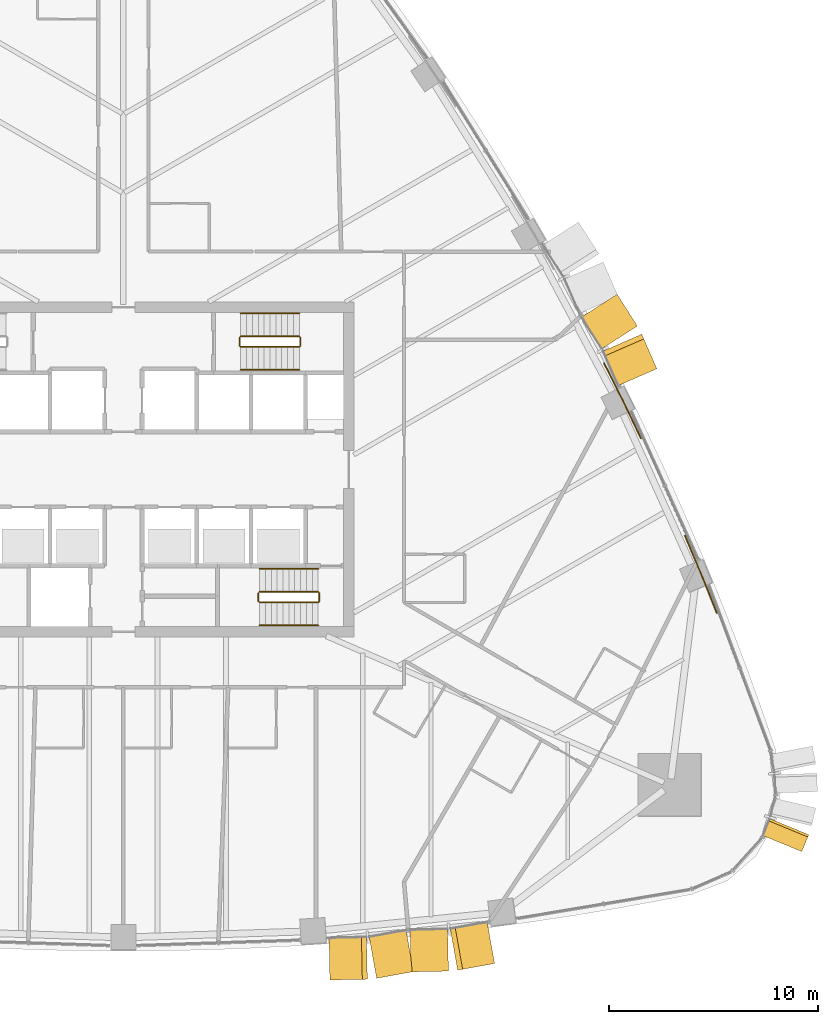
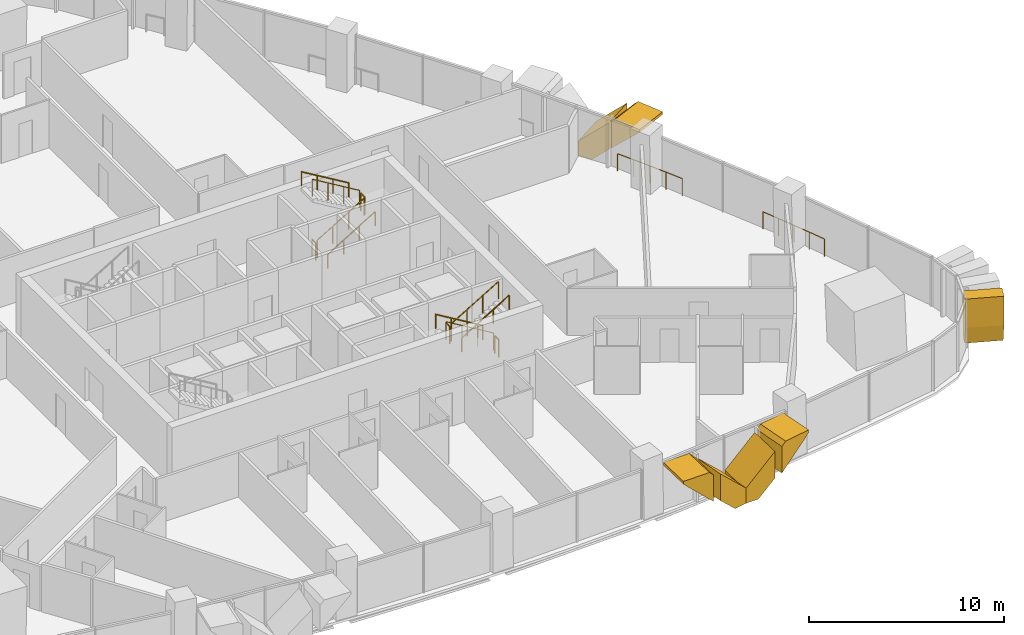
# One storey, part 16 of 18: 14 railings, 7 coverings.
"""IFC4 building model written with IfcOpenShell, lengths in metres."""

from ifc_helpers import new_model, si_unit, direction, frame, origin, origin_2d, place, context, subcontext, project, spatial, polyline, circle, outline, extrude, material, layer, layer_set, type_object, element, save


model = new_model("IFC4")

# Units and contexts
model_context = context("Model", 3, precision=1e-05, world=origin(), true_north=direction((0.0, 1.0)))
body_context = subcontext(model_context, "Body", "Model", "MODEL_VIEW")
ifc_project = project(units=[si_unit("LENGTHUNIT", "METRE"), si_unit("AREAUNIT", "SQUARE_METRE"), si_unit("VOLUMEUNIT", "CUBIC_METRE"), si_unit("PLANEANGLEUNIT", "RADIAN"), si_unit("MASSUNIT", "GRAM", prefix="KILO")], contexts=[model_context])

# Site, building, storey
site_placement = place(None, origin())
site = spatial("IfcSite", under=ifc_project, at=site_placement, CompositionType="ELEMENT")
building_placement = place(site_placement, origin())
building = spatial("IfcBuilding", under=site, at=building_placement, Name="Sierra Prisma Convention Tower", CompositionType="ELEMENT")
storey_placement = place(building_placement, frame((0.0, 0.0, 85.0)))
storey = spatial("IfcBuildingStorey", under=building, at=storey_placement, Name="L17", CompositionType="ELEMENT", Elevation=85.0)

# Coverings
ifc_material_1 = material(Name="Aluminium 6063-T6 bronze anodised", Category="aluminium")
ifc_layer = layer(ifc_material_1, 2.0)
ifc_layer_set = layer_set([ifc_layer], Name="Bronze crystal chevron frame")
covering_type = type_object("IfcCoveringType", Name="Bronze crystal chevron frame", PredefinedType="CLADDING", material=ifc_layer_set)
covering_1_placement = place(storey_placement, frame((9.859375, -24.377197265625, 2.97998046875), z_axis=(0.021002492806, -0.999779419146, 9.1365639e-05), x_axis=(1.918906e-06, -9.1345485e-05, -0.999999995826)))
element("IfcCovering", 1, at=covering_1_placement, inside=storey, type_object=covering_type, Name="CW-2 chevron frame S5.1.1", PredefinedType="CLADDING", context=body_context, shape_type="SweptSolid", body=[
    extrude(outline(polyline([(0.0, 0.0), (0.17187499928262126, 0.0), (1.901367181510295, 1.7911661264529168), (0.23315429784814873, 1.7911661264529168), (-1.5360464769808995e-08, 1.5496617564528063), (0.0, 0.0)])), origin(), (0.0, 0.0, -1.0), 2.0),
])
covering_2_placement = place(storey_placement, frame((12.09130859375, -24.29541015625, 2.621337890625), z_axis=(0.177231944113, -0.984169109196, 4.9896142e-05), x_axis=(8.84319e-06, -4.9106242e-05, -0.999999998755)))
element("IfcCovering", 2, at=covering_2_placement, inside=storey, type_object=covering_type, Name="CW-2 chevron frame S5.1.2", PredefinedType="CLADDING", context=body_context, shape_type="SweptSolid", body=[
    extrude(outline(polyline([(0.0, 0.0), (1.6682128885483878, 0.0), (2.6213378961090434, 0.9872781083057118), (2.6213378897348494, 1.7910406506046115), (1.7292480470953344, 1.7910406506046115), (0.0, 0.0)])), origin(), (0.0, 0.0, -1.0), 2.0),
])
covering_3_placement = place(storey_placement, frame((14.533935546875, -23.9736328125, 0.0), z_axis=(0.020988911802, -0.99977970849, 8.554291e-06), x_axis=(0.719282747494, 0.015106231333, 0.694553187979)))
element("IfcCovering", 3, at=covering_3_placement, inside=storey, type_object=covering_type, Name="CW-2 chevron frame S5.2.1", PredefinedType="CLADDING", context=body_context, shape_type="SweptSolid", body=[
    extrude(outline(polyline([(0.0, 0.0), (1.3722851131965972, 0.0), (2.5309476946085017, 1.2001813490800781), (0.04142956467573389, 1.1999793963578638), (-0.5781742802648632, 0.5581730668483357), (0.0, 0.0)])), origin(), (0.0, 0.0, -1.0), 2.0),
])
covering_4_placement = place(storey_placement, frame((17.724853515625, -23.591552734375, 2.97998046875), z_axis=(0.17707737971, -0.984196931921, -2.8132919e-05), x_axis=(-0.984196932311, -0.17707737978, 9.4e-10)))
element("IfcCovering", 4, at=covering_4_placement, inside=storey, type_object=covering_type, Name="CW-2 chevron frame S5.2.2", PredefinedType="CLADDING", context=body_context, shape_type="SweptSolid", body=[
    extrude(outline(polyline([(0.0, 0.0), (1.5493967319547859, 0.0), (1.7909974039847403, 0.23315429865071732), (1.7909974024167008, 1.9013671886155545), (-1.6155419691206417e-10, 0.1718749999319838), (0.0, 0.0)])), origin(), (0.0, 0.0, -1.0), 2.0),
])
covering_5_placement = place(storey_placement, frame((32.390625, -18.24560546875, 2.97998046875), z_axis=(0.92486555362, -0.380294238353, -1.358338e-06), x_axis=(-1.25628e-06, 5.16568e-07, -0.999999999999)))
element("IfcCovering", 5, at=covering_5_placement, inside=storey, type_object=covering_type, Name="CW-2 chevron frame SE3.1.1", PredefinedType="CLADDING", context=body_context, shape_type="SweptSolid", body=[
    extrude(outline(polyline([(0.0, 0.0), (1.8044433593733353, 1.910528721056071e-22), (2.979980468823555, 0.31727386455062623), (2.9799804687578333, 0.8737513283411702), (0.4370117187601792, 0.8737513283411702), (7.151429527585698e-11, 0.7557364254296125), (0.0, 0.0)])), origin(), (0.0, 0.0, -1.0), 2.0),
])
covering_6_placement = place(storey_placement, frame((25.470703125, 4.807861328125, 2.97998046875), z_axis=(0.916378193818, 0.400313634404, 2.389793e-06), x_axis=(2.189954e-06, 9.56667e-07, -0.999999999997)))
element("IfcCovering", 6, at=covering_6_placement, inside=storey, type_object=covering_type, Name="CW-2 chevron frame NE3.1.1", PredefinedType="CLADDING", context=body_context, shape_type="SweptSolid", body=[
    extrude(outline(polyline([(0.0, 0.0), (0.16992187499951478, 0.0), (1.8999023437459175, 1.7991277256747125), (0.23510742187567138, 1.7991277256747125), (-1.047826765976263e-11, 1.5545571814062815), (0.0, 0.0)])), origin(), (0.0, 0.0, -1.0), 2.0),
])
covering_7_placement = place(storey_placement, frame((24.541748046875, 6.84765625, 2.619873046875), z_axis=(0.84245328924, 0.53876938825, -4.1635973e-05), x_axis=(-3.5076362e-05, -2.2432188e-05, -0.999999999133)))
element("IfcCovering", 7, at=covering_7_placement, inside=storey, type_object=covering_type, Name="CW-2 chevron frame NE3.1.2", PredefinedType="CLADDING", context=body_context, shape_type="SweptSolid", body=[
    extrude(outline(polyline([(0.0, 0.0), (1.6647949204319938, -5.640544596999096e-21), (2.6198730506889465, 0.9935183465512732), (2.619873046259834, 1.799376396489208), (1.729736328281384, 1.799376396489208), (0.0, 0.0)])), origin(), (0.0, 0.0, -1.0), 2.0),
])

# Railings
ifc_material_2 = material(Name="Stainless steel", Category="steel")
railing_type_1 = type_object("IfcRailingType", Name="Exit stair handrail", PredefinedType="HANDRAIL", material=ifc_material_2)
railing_1_placement = place(storey_placement, frame((9.300048828125, -4.75, 0.168212890625)))
element("IfcRailing", 8, at=railing_1_placement, inside=storey, type_object=railing_type_1, Name="L17 S2 stair handrail 1", PredefinedType="HANDRAIL", context=body_context, shape_type="SweptSolid", body=[
    extrude(circle(Radius=0.02392578125, at=origin_2d()), frame((0.0, 0.0, 0.8759765625), z_axis=(-0.857242210791, 0.0, 0.514913383045), x_axis=(0.0, -1.0, 0.0)), (0.0, 0.0, 1.0), 3.266357421875),
    extrude(circle(Radius=0.02099609375, at=origin_2d()), origin(), (0.0, 0.0, 1.0), 0.851806640625),
    extrude(circle(Radius=0.02099609375, at=origin_2d()), frame((-0.933349609375, 0.0, 0.560546875)), (0.0, 0.0, 1.0), 0.851806640625),
    extrude(circle(Radius=0.02099609375, at=origin_2d()), frame((-1.86669921875, 0.0, 1.121337890625)), (0.0, 0.0, 1.0), 0.851806640625),
    extrude(circle(Radius=0.02099609375, at=origin_2d()), frame((-2.800048828125, 0.0, 1.681884765625)), (0.0, 0.0, 1.0), 0.851806640625),
])
railing_2_placement = place(storey_placement, frame((6.5, -7.449951171875, 2.01806640625)))
element("IfcRailing", 9, at=railing_2_placement, inside=storey, type_object=railing_type_1, Name="L17 S2 stair handrail 2", PredefinedType="HANDRAIL", context=body_context, shape_type="SweptSolid", body=[
    extrude(circle(Radius=0.02392578125, at=origin_2d()), frame((0.0, 0.0, 0.8759765625), z_axis=(0.857242210791, 0.0, 0.514913383045), x_axis=(0.0, 1.0, 0.0)), (0.0, 0.0, 1.0), 3.266357421875),
    extrude(circle(Radius=0.02099609375, at=origin_2d()), origin(), (0.0, 0.0, 1.0), 0.851806640625),
    extrude(circle(Radius=0.02099609375, at=origin_2d()), frame((0.933349609375, 0.0, 0.560546875)), (0.0, 0.0, 1.0), 0.851806640625),
    extrude(circle(Radius=0.02099609375, at=origin_2d()), frame((1.86669921875, 0.0, 1.121337890625)), (0.0, 0.0, 1.0), 0.851806640625),
    extrude(circle(Radius=0.02099609375, at=origin_2d()), frame((2.800048828125, 0.0, 1.681884765625)), (0.0, 0.0, 1.0), 0.851806640625),
])
railing_3_placement = place(storey_placement, frame((5.60009765625, 4.75, 0.168212890625)))
element("IfcRailing", 10, at=railing_3_placement, inside=storey, type_object=railing_type_1, Name="L17 S4 stair handrail 1", PredefinedType="HANDRAIL", context=body_context, shape_type="SweptSolid", body=[
    extrude(circle(Radius=0.02392578125, at=origin_2d()), frame((0.0, 0.0, 0.8759765625), z_axis=(0.857222391501, 0.0, 0.514946377315), x_axis=(0.0, 1.0, 0.0)), (0.0, 0.0, 1.0), 3.26611328125),
    extrude(circle(Radius=0.02099609375, at=origin_2d()), origin(), (0.0, 0.0, 1.0), 0.851806640625),
    extrude(circle(Radius=0.02099609375, at=origin_2d()), frame((0.933349609375, 0.0, 0.560546875)), (0.0, 0.0, 1.0), 0.851806640625),
    extrude(circle(Radius=0.02099609375, at=origin_2d()), frame((1.866455078125, 0.0, 1.121337890625)), (0.0, 0.0, 1.0), 0.851806640625),
    extrude(circle(Radius=0.02099609375, at=origin_2d()), frame((2.7998046875, 0.0, 1.681884765625)), (0.0, 0.0, 1.0), 0.851806640625),
])
railing_4_placement = place(storey_placement, frame((8.39990234375, 7.449951171875, 2.01806640625)))
element("IfcRailing", 11, at=railing_4_placement, inside=storey, type_object=railing_type_1, Name="L17 S4 stair handrail 2", PredefinedType="HANDRAIL", context=body_context, shape_type="SweptSolid", body=[
    extrude(circle(Radius=0.02392578125, at=origin_2d()), frame((0.0, 0.0, 0.8759765625), z_axis=(-0.857222391501, 0.0, 0.514946377315), x_axis=(0.0, -1.0, 0.0)), (0.0, 0.0, 1.0), 3.26611328125),
    extrude(circle(Radius=0.02099609375, at=origin_2d()), origin(), (0.0, 0.0, 1.0), 0.851806640625),
    extrude(circle(Radius=0.02099609375, at=origin_2d()), frame((-0.933349609375, 0.0, 0.560546875)), (0.0, 0.0, 1.0), 0.851806640625),
    extrude(circle(Radius=0.02099609375, at=origin_2d()), frame((-1.866455078125, 0.0, 1.121337890625)), (0.0, 0.0, 1.0), 0.851806640625),
    extrude(circle(Radius=0.02099609375, at=origin_2d()), frame((-2.7998046875, 0.0, 1.681884765625)), (0.0, 0.0, 1.0), 0.851806640625),
])
ifc_material_3 = material(Name="Bronze anodised aluminium", Category="aluminium")
railing_type_2 = type_object("IfcRailingType", Name="Facade guard 1100", PredefinedType="GUARDRAIL", material=ifc_material_3)
railing_5_placement = place(storey_placement, frame((28.3310546875, -6.848388671875, 0.0)))
element("IfcRailing", 12, at=railing_5_placement, inside=storey, type_object=railing_type_2, Name="Facade guard", PredefinedType="GUARDRAIL", context=body_context, shape_type="SweptSolid", body=[
    extrude(circle(Radius=0.02392578125, at=origin_2d()), frame((0.0, 0.0, 1.076171875), z_axis=(-0.369569423386, 0.929203121657, 0.0), x_axis=(-0.929203121657, -0.369569423386, 0.0)), (0.0, 0.0, 1.0), 0.994140625),
    extrude(circle(Radius=0.02392578125, at=origin_2d()), frame((-0.367431640625, 0.923828125, 1.076171875), z_axis=(-0.378661364567, 0.925535288892, 0.0), x_axis=(-0.925535288892, -0.378661364567, 0.0)), (0.0, 0.0, 1.0), 1.0),
    extrude(circle(Radius=0.02392578125, at=origin_2d()), frame((-0.74609375, 1.849365234375, 1.076171875), z_axis=(-0.38355155682, 0.923519465556, 0.0), x_axis=(-0.923519465556, -0.38355155682, 0.0)), (0.0, 0.0, 1.0), 0.994140625),
    extrude(circle(Radius=0.02392578125, at=origin_2d()), frame((-1.12744140625, 2.767578125, 1.076171875), z_axis=(-0.391885028574, 0.920014197923, 0.0), x_axis=(-0.920014197923, -0.391885028574, 0.0)), (0.0, 0.0, 1.0), 1.0),
    extrude(circle(Radius=0.02099609375, at=origin_2d()), origin(), (0.0, 0.0, 1.0), 1.052001953125),
    extrude(circle(Radius=0.02099609375, at=origin_2d()), frame((-0.367431640625, 0.923828125, 0.0)), (0.0, 0.0, 1.0), 1.052001953125),
    extrude(circle(Radius=0.02099609375, at=origin_2d()), frame((-0.74609375, 1.849365234375, 0.0)), (0.0, 0.0, 1.0), 1.052001953125),
    extrude(circle(Radius=0.02099609375, at=origin_2d()), frame((-1.12744140625, 2.767578125, 0.0)), (0.0, 0.0, 1.0), 1.052001953125),
    extrude(circle(Radius=0.02099609375, at=origin_2d()), frame((-1.519287109375, 3.6875, 0.0)), (0.0, 0.0, 1.0), 1.052001953125),
])
railing_6_placement = place(storey_placement, frame((24.71337890625, 1.487060546875, 0.0)))
element("IfcRailing", 13, at=railing_6_placement, inside=storey, type_object=railing_type_2, Name="Facade guard", PredefinedType="GUARDRAIL", context=body_context, shape_type="SweptSolid", body=[
    extrude(circle(Radius=0.02392578125, at=origin_2d()), frame((0.0, 0.0, 1.076171875), z_axis=(-0.430634686673, 0.902526324621, 0.0), x_axis=(-0.902526324621, -0.430634686673, 0.0)), (0.0, 0.0, 1.0), 1.0),
    extrude(circle(Radius=0.02392578125, at=origin_2d()), frame((-0.4306640625, 0.902587890625, 1.076171875), z_axis=(-0.439337859103, 0.898321905309, 0.0), x_axis=(-0.898321905309, -0.439337859103, 0.0)), (0.0, 0.0, 1.0), 0.994140625),
    extrude(circle(Radius=0.02392578125, at=origin_2d()), frame((-0.867431640625, 1.795654296875, 1.076171875), z_axis=(-0.443499679294, 0.896274530747, 0.0), x_axis=(-0.896274530747, -0.443499679294, 0.0)), (0.0, 0.0, 1.0), 1.000244140625),
    extrude(circle(Radius=0.02392578125, at=origin_2d()), frame((-1.31103515625, 2.692138671875, 1.076171875), z_axis=(-0.452608247892, 0.891709467226, 0.0), x_axis=(-0.891709467226, -0.452608247892, 0.0)), (0.0, 0.0, 1.0), 0.994140625),
    extrude(circle(Radius=0.02099609375, at=origin_2d()), origin(), (0.0, 0.0, 1.0), 1.052001953125),
    extrude(circle(Radius=0.02099609375, at=origin_2d()), frame((-0.4306640625, 0.902587890625, 0.0)), (0.0, 0.0, 1.0), 1.052001953125),
    extrude(circle(Radius=0.02099609375, at=origin_2d()), frame((-0.867431640625, 1.795654296875, 0.0)), (0.0, 0.0, 1.0), 1.052001953125),
    extrude(circle(Radius=0.02099609375, at=origin_2d()), frame((-1.31103515625, 2.692138671875, 0.0)), (0.0, 0.0, 1.0), 1.052001953125),
    extrude(circle(Radius=0.02099609375, at=origin_2d()), frame((-1.760986328125, 3.57861328125, 0.0)), (0.0, 0.0, 1.0), 1.052001953125),
])
ifc_material_4 = material(Name="Stainless steel", Category="steel")
railing_type_3 = type_object("IfcRailingType", Name="Stair guard 1100", PredefinedType="GUARDRAIL", material=ifc_material_4)
railing_7_placement = place(storey_placement, frame((9.300048828125, -5.85009765625, 0.168212890625)))
element("IfcRailing", 14, at=railing_7_placement, inside=storey, type_object=railing_type_3, Name="L17 S2 stair guard 1", PredefinedType="GUARDRAIL", context=body_context, shape_type="SweptSolid", body=[
    extrude(circle(Radius=0.02392578125, at=origin_2d()), frame((0.0, 0.0, 1.076171875), z_axis=(-0.857242210791, 0.0, 0.514913383045), x_axis=(0.0, -1.0, 0.0)), (0.0, 0.0, 1.0), 3.266357421875),
    extrude(circle(Radius=0.02099609375, at=origin_2d()), origin(), (0.0, 0.0, 1.0), 1.052001953125),
    extrude(circle(Radius=0.02099609375, at=origin_2d()), frame((-0.933349609375, 0.0, 0.560546875)), (0.0, 0.0, 1.0), 1.052001953125),
    extrude(circle(Radius=0.02099609375, at=origin_2d()), frame((-1.86669921875, 0.0, 1.121337890625)), (0.0, 0.0, 1.0), 1.052001953125),
    extrude(circle(Radius=0.02099609375, at=origin_2d()), frame((-2.800048828125, 0.0, 1.681884765625)), (0.0, 0.0, 1.0), 1.052001953125),
])
railing_8_placement = place(storey_placement, frame((6.449951171875, -5.89990234375, 1.85009765625)))
element("IfcRailing", 15, at=railing_8_placement, inside=storey, type_object=railing_type_3, Name="L17 S2 stair guard 2", PredefinedType="GUARDRAIL", context=body_context, shape_type="SweptSolid", body=[
    extrude(circle(Radius=0.02392578125, at=origin_2d()), frame((0.0, 0.0, 1.076171875), z_axis=(0.0, -1.0, 0.0), x_axis=(1.0, 0.0, 0.0)), (0.0, 0.0, 1.0), 0.400146484375),
    extrude(circle(Radius=0.02099609375, at=origin_2d()), origin(), (0.0, 0.0, 1.0), 1.052001953125),
    extrude(circle(Radius=0.02099609375, at=origin_2d()), frame((0.0, -0.400146484375, 0.0)), (0.0, 0.0, 1.0), 1.052001953125),
])
railing_9_placement = place(storey_placement, frame((6.5, -6.35009765625, 2.01806640625)))
element("IfcRailing", 16, at=railing_9_placement, inside=storey, type_object=railing_type_3, Name="L17 S2 stair guard 3", PredefinedType="GUARDRAIL", context=body_context, shape_type="SweptSolid", body=[
    extrude(circle(Radius=0.02392578125, at=origin_2d()), frame((0.0, 0.0, 1.076171875), z_axis=(0.857242210791, 0.0, 0.514913383045), x_axis=(0.0, 1.0, 0.0)), (0.0, 0.0, 1.0), 3.266357421875),
    extrude(circle(Radius=0.02099609375, at=origin_2d()), origin(), (0.0, 0.0, 1.0), 1.052001953125),
    extrude(circle(Radius=0.02099609375, at=origin_2d()), frame((0.933349609375, 0.0, 0.560546875)), (0.0, 0.0, 1.0), 1.052001953125),
    extrude(circle(Radius=0.02099609375, at=origin_2d()), frame((1.86669921875, 0.0, 1.121337890625)), (0.0, 0.0, 1.0), 1.052001953125),
    extrude(circle(Radius=0.02099609375, at=origin_2d()), frame((2.800048828125, 0.0, 1.681884765625)), (0.0, 0.0, 1.0), 1.052001953125),
])
railing_10_placement = place(storey_placement, frame((9.35009765625, -5.89990234375, 0.0)))
element("IfcRailing", 17, at=railing_10_placement, inside=storey, type_object=railing_type_3, Name="L17 S2 stair guard 4", PredefinedType="GUARDRAIL", context=body_context, shape_type="SweptSolid", body=[
    extrude(circle(Radius=0.02392578125, at=origin_2d()), frame((0.0, 0.0, 1.076171875), z_axis=(0.0, -1.0, 0.0), x_axis=(1.0, 0.0, 0.0)), (0.0, 0.0, 1.0), 0.400146484375),
    extrude(circle(Radius=0.02099609375, at=origin_2d()), origin(), (0.0, 0.0, 1.0), 1.052001953125),
    extrude(circle(Radius=0.02099609375, at=origin_2d()), frame((0.0, -0.400146484375, 0.0)), (0.0, 0.0, 1.0), 1.052001953125),
])
railing_11_placement = place(storey_placement, frame((5.60009765625, 5.85009765625, 0.168212890625)))
element("IfcRailing", 18, at=railing_11_placement, inside=storey, type_object=railing_type_3, Name="L17 S4 stair guard 1", PredefinedType="GUARDRAIL", context=body_context, shape_type="SweptSolid", body=[
    extrude(circle(Radius=0.02392578125, at=origin_2d()), frame((0.0, 0.0, 1.076171875), z_axis=(0.857222391501, 0.0, 0.514946377315), x_axis=(0.0, 1.0, 0.0)), (0.0, 0.0, 1.0), 3.26611328125),
    extrude(circle(Radius=0.02099609375, at=origin_2d()), origin(), (0.0, 0.0, 1.0), 1.052001953125),
    extrude(circle(Radius=0.02099609375, at=origin_2d()), frame((0.933349609375, 0.0, 0.560546875)), (0.0, 0.0, 1.0), 1.052001953125),
    extrude(circle(Radius=0.02099609375, at=origin_2d()), frame((1.866455078125, 0.0, 1.121337890625)), (0.0, 0.0, 1.0), 1.052001953125),
    extrude(circle(Radius=0.02099609375, at=origin_2d()), frame((2.7998046875, 0.0, 1.681884765625)), (0.0, 0.0, 1.0), 1.052001953125),
])
railing_12_placement = place(storey_placement, frame((8.449951171875, 5.89990234375, 1.85009765625)))
element("IfcRailing", 19, at=railing_12_placement, inside=storey, type_object=railing_type_3, Name="L17 S4 stair guard 2", PredefinedType="GUARDRAIL", context=body_context, shape_type="SweptSolid", body=[
    extrude(circle(Radius=0.02392578125, at=origin_2d()), frame((0.0, 0.0, 1.076171875), z_axis=(0.0, 1.0, 0.0), x_axis=(-1.0, 0.0, 0.0)), (0.0, 0.0, 1.0), 0.400146484375),
    extrude(circle(Radius=0.02099609375, at=origin_2d()), origin(), (0.0, 0.0, 1.0), 1.052001953125),
    extrude(circle(Radius=0.02099609375, at=origin_2d()), frame((0.0, 0.400146484375, 0.0)), (0.0, 0.0, 1.0), 1.052001953125),
])
railing_13_placement = place(storey_placement, frame((8.39990234375, 6.35009765625, 2.01806640625)))
element("IfcRailing", 20, at=railing_13_placement, inside=storey, type_object=railing_type_3, Name="L17 S4 stair guard 3", PredefinedType="GUARDRAIL", context=body_context, shape_type="SweptSolid", body=[
    extrude(circle(Radius=0.02392578125, at=origin_2d()), frame((0.0, 0.0, 1.076171875), z_axis=(-0.857222391501, 0.0, 0.514946377315), x_axis=(0.0, -1.0, 0.0)), (0.0, 0.0, 1.0), 3.26611328125),
    extrude(circle(Radius=0.02099609375, at=origin_2d()), origin(), (0.0, 0.0, 1.0), 1.052001953125),
    extrude(circle(Radius=0.02099609375, at=origin_2d()), frame((-0.933349609375, 0.0, 0.560546875)), (0.0, 0.0, 1.0), 1.052001953125),
    extrude(circle(Radius=0.02099609375, at=origin_2d()), frame((-1.866455078125, 0.0, 1.121337890625)), (0.0, 0.0, 1.0), 1.052001953125),
    extrude(circle(Radius=0.02099609375, at=origin_2d()), frame((-2.7998046875, 0.0, 1.681884765625)), (0.0, 0.0, 1.0), 1.052001953125),
])
railing_14_placement = place(storey_placement, frame((5.550048828125, 5.89990234375, 0.0)))
element("IfcRailing", 21, at=railing_14_placement, inside=storey, type_object=railing_type_3, Name="L17 S4 stair guard 4", PredefinedType="GUARDRAIL", context=body_context, shape_type="SweptSolid", body=[
    extrude(circle(Radius=0.02392578125, at=origin_2d()), frame((0.0, 0.0, 1.076171875), z_axis=(0.0, 1.0, 0.0), x_axis=(-1.0, 0.0, 0.0)), (0.0, 0.0, 1.0), 0.400146484375),
    extrude(circle(Radius=0.02099609375, at=origin_2d()), origin(), (0.0, 0.0, 1.0), 1.052001953125),
    extrude(circle(Radius=0.02099609375, at=origin_2d()), frame((0.0, 0.400146484375, 0.0)), (0.0, 0.0, 1.0), 1.052001953125),
])

save(model, "model.ifc")
